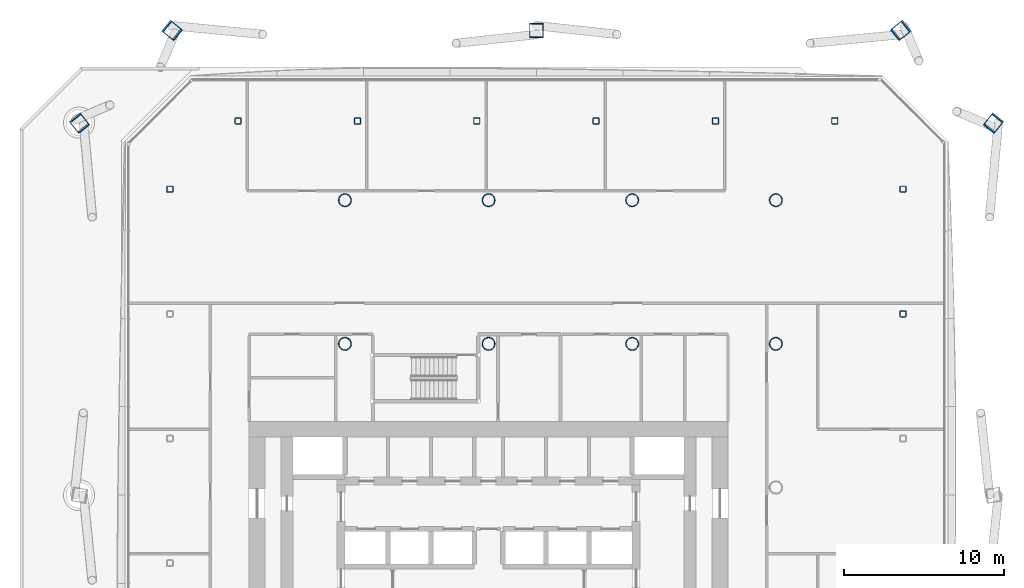
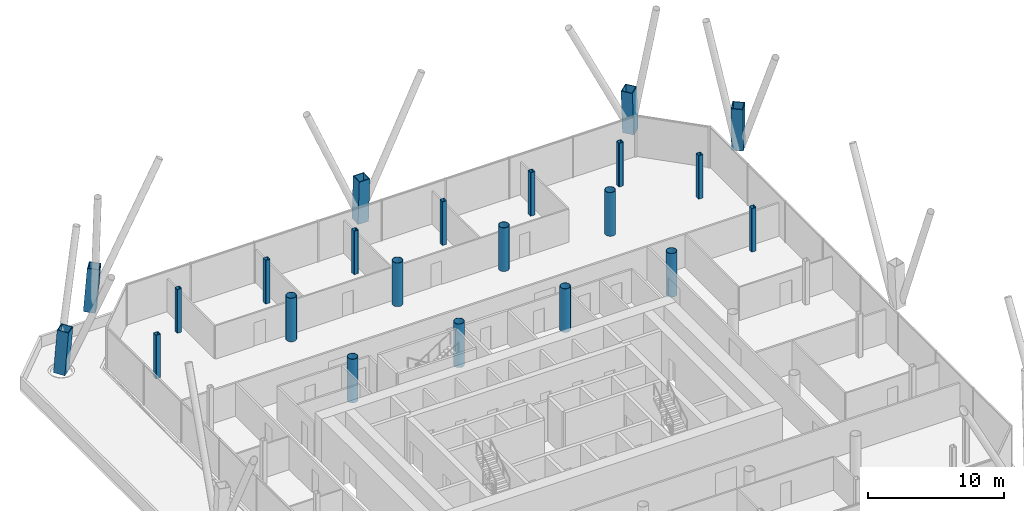
# One storey, part 3 of 23: 22 columns.
"""IFC4 building model written with IfcOpenShell, lengths in metres."""

from ifc_helpers import new_model, si_unit, direction, frame, origin, origin_2d, place, context, subcontext, project, spatial, hollow_rectangle, hollow_circle, extrude, material, material_profile, profile_set, type_object, element, save


model = new_model("IFC4")

# Units and contexts
model_context = context("Model", 3, precision=1e-05, world=origin(), true_north=direction((0.0, 1.0)))
body_context = subcontext(model_context, "Body", "Model", "MODEL_VIEW")
ifc_project = project(units=[si_unit("LENGTHUNIT", "METRE"), si_unit("AREAUNIT", "SQUARE_METRE"), si_unit("VOLUMEUNIT", "CUBIC_METRE"), si_unit("PLANEANGLEUNIT", "RADIAN"), si_unit("MASSUNIT", "GRAM", prefix="KILO")], contexts=[model_context])

# Site, building, storey
site_placement = place(None, origin())
site = spatial("IfcSite", under=ifc_project, at=site_placement, CompositionType="ELEMENT")
building_placement = place(site_placement, origin())
building = spatial("IfcBuilding", under=site, at=building_placement, Name="Tskaro Facet Tower", CompositionType="ELEMENT")
storey_placement = place(building_placement, frame((0.0, 0.0, 62.10009765625)))
storey = spatial("IfcBuildingStorey", under=building, at=storey_placement, Name="L14", CompositionType="ELEMENT", Elevation=62.10009765625)

# Columns
ifc_material_1 = material(Name="Steel S460M", Category="steel")
ifc_material_profile_1 = material_profile(ifc_material_1, hollow_rectangle(XDim=0.89990234375, YDim=0.89990234375, WallThickness=0.054931640625, at=origin_2d()), Name="BOX 900x900x55")
ifc_profile_set_1 = profile_set([ifc_material_profile_1], Name="Steel S460M")
column_type_1 = type_object("IfcColumnType", Name="BOX 900x900x55 mega column", PredefinedType="COLUMN", material=ifc_profile_set_1)
for number, where, z_axis, x_axis, name in (
    (1, (31.658935546875, 22.85888671875, 0.0), (-0.046758401323, -0.057995400306, 0.997221231949), (0.778492288273, -0.627654169985, 0.0), "BOX 900x900x55 MC06/2"),
    (2, (25.85888671875, 28.658935546875, 0.0), (-0.057995400306, -0.046758401323, 0.997221231949), (0.627654169985, -0.778492288273, 0.0), "BOX 900x900x55 MC07/2"),
):
    element("IfcColumn", number, at=place(storey_placement, frame(where, z_axis=z_axis, x_axis=x_axis)), inside=storey, type_object=column_type_1, Name=name, PredefinedType="COLUMN", context=body_context, shape_type="SweptSolid", body=[
        extrude(hollow_rectangle(XDim=0.89990234375, YDim=0.89990234375, WallThickness=0.054931640625, at=origin_2d()), origin(), (0.0, 0.0, 1.0), 3.910888671875),
    ])
column_placement = place(storey_placement, frame((3.0, 28.658935546875, 0.0), z_axis=(0.0, -0.046837235403, 0.998902534475), x_axis=(1.0, 0.0, 0.0)))
element("IfcColumn", 3, at=column_placement, inside=storey, type_object=column_type_1, Name="BOX 900x900x55 MC08/2", PredefinedType="COLUMN", context=body_context, shape_type="SweptSolid", body=[
    extrude(hollow_rectangle(XDim=0.89990234375, YDim=0.89990234375, WallThickness=0.054931640625, at=origin_2d()), origin(), (0.0, 0.0, 1.0), 3.904296875),
])
for number, where, z_axis, x_axis, name in (
    (4, (-19.85888671875, 28.658935546875, 0.0), (0.057995400306, -0.046758401323, 0.997221231949), (0.627654169985, 0.778492288273, 0.0), "BOX 900x900x55 MC09/2"),
    (5, (-25.658935546875, 22.85888671875, 0.0), (0.046758401323, -0.057995400306, 0.997221231949), (0.778492288273, 0.627654169985, 0.0), "BOX 900x900x55 MC10/2"),
):
    element("IfcColumn", number, at=place(storey_placement, frame(where, z_axis=z_axis, x_axis=x_axis)), inside=storey, type_object=column_type_1, Name=name, PredefinedType="COLUMN", context=body_context, shape_type="SweptSolid", body=[
        extrude(hollow_rectangle(XDim=0.89990234375, YDim=0.89990234375, WallThickness=0.054931640625, at=origin_2d()), origin(), (0.0, 0.0, 1.0), 3.910888671875),
    ])
ifc_material_2 = material(Name="Steel S355J2H", Category="steel")
ifc_material_profile_2 = material_profile(ifc_material_2, hollow_circle(Radius=0.406494140625, WallThickness=0.035888671875, at=origin_2d()), Name="CHS 812.8x36")
ifc_profile_set_2 = profile_set([ifc_material_profile_2], Name="Steel S355J2H")
column_type_2 = type_object("IfcColumnType", Name="CHS 812.8x36 interior column", PredefinedType="COLUMN", material=ifc_profile_set_2)
for number, where, z_axis, x_axis, name in (
    (6, (-9.0, 9.0, 0.0), (0.0, 0.0, 1.0), (1.0, 0.0, 0.0), "CHS 812.8x36 C3E/2"),
    (7, (-9.0, 18.0, 0.0), (0.0, 0.0, 1.0), (1.0, 0.0, 0.0), "CHS 812.8x36 C3F/2"),
    (8, (0.0, 9.0, 0.0), (0.0, 0.0, 1.0), (1.0, 0.0, 0.0), "CHS 812.8x36 C4E/2"),
    (9, (0.0, 18.0, 0.0), (0.0, 0.0, 1.0), (1.0, 0.0, 0.0), "CHS 812.8x36 C4F/2"),
    (10, (9.0, 9.0, 0.0), (0.0, 0.0, 1.0), (1.0, 0.0, 0.0), "CHS 812.8x36 C5E/2"),
    (11, (9.0, 18.0, 0.0), (0.0, 0.0, 1.0), (1.0, 0.0, 0.0), "CHS 812.8x36 C5F/2"),
    (12, (18.0, 9.0, 0.0), (0.0, 0.0, 1.0), (1.0, 0.0, 0.0), "CHS 812.8x36 C6E/2"),
    (13, (18.0, 18.0, 0.0), (0.0, 0.0, 1.0), (1.0, 0.0, 0.0), "CHS 812.8x36 C6F/2"),
):
    element("IfcColumn", number, at=place(storey_placement, frame(where, z_axis=z_axis, x_axis=x_axis)), inside=storey, type_object=column_type_2, Name=name, PredefinedType="COLUMN", context=body_context, shape_type="SweptSolid", body=[
        extrude(hollow_circle(Radius=0.406494140625, WallThickness=0.035888671875, at=origin_2d()), origin(), (0.0, 0.0, 1.0), 3.89990234375),
    ])
ifc_material_profile_3 = material_profile(ifc_material_2, hollow_rectangle(XDim=0.39990234375, YDim=0.39990234375, WallThickness=0.02490234375, InnerFilletRadius=0.03759765625, OuterFilletRadius=0.0625, at=origin_2d()), Name="SHS 400x400x25")
ifc_profile_set_3 = profile_set([ifc_material_profile_3], Name="Steel S355J2H")
column_type_3 = type_object("IfcColumnType", Name="SHS 400x400x25 ring column", PredefinedType="COLUMN", material=ifc_profile_set_3)
for number, where, z_axis, x_axis, name in (
    (14, (25.965087890625, 10.87890625, 0.0), (0.0, 0.0, 1.0), (1.0, 0.0, 0.0), "SHS 400x400x25 RE-5/2"),
    (15, (25.965087890625, 18.68994140625, 0.0), (0.0, 0.0, 1.0), (1.0, 0.0, 0.0), "SHS 400x400x25 RNE-1/2"),
    (16, (21.68994140625, 22.965087890625, 0.0), (0.0, 0.0, 1.0), (1.0, 0.0, 0.0), "SHS 400x400x25 RN-1/2"),
    (17, (14.214111328125, 22.965087890625, 0.0), (0.0, 0.0, 1.0), (1.0, 0.0, 0.0), "SHS 400x400x25 RN-2/2"),
    (18, (6.738037109375, 22.965087890625, 0.0), (0.0, 0.0, 1.0), (1.0, 0.0, 0.0), "SHS 400x400x25 RN-3/2"),
    (19, (-0.738037109375, 22.965087890625, 0.0), (0.0, 0.0, 1.0), (1.0, 0.0, 0.0), "SHS 400x400x25 RN-4/2"),
    (20, (-8.214111328125, 22.965087890625, 0.0), (0.0, 0.0, 1.0), (1.0, 0.0, 0.0), "SHS 400x400x25 RN-5/2"),
    (21, (-15.68994140625, 22.965087890625, 0.0), (0.0, 0.0, 1.0), (1.0, 0.0, 0.0), "SHS 400x400x25 RNW-1/2"),
    (22, (-19.965087890625, 18.68994140625, 0.0), (0.0, 0.0, 1.0), (1.0, 0.0, 0.0), "SHS 400x400x25 RW-1/2"),
):
    element("IfcColumn", number, at=place(storey_placement, frame(where, z_axis=z_axis, x_axis=x_axis)), inside=storey, type_object=column_type_3, Name=name, PredefinedType="COLUMN", context=body_context, shape_type="SweptSolid", body=[
        extrude(hollow_rectangle(XDim=0.39990234375, YDim=0.39990234375, WallThickness=0.02490234375, InnerFilletRadius=0.03759765625, OuterFilletRadius=0.0625, at=origin_2d()), origin(), (0.0, 0.0, 1.0), 3.89990234375),
    ])

save(model, "model.ifc")
